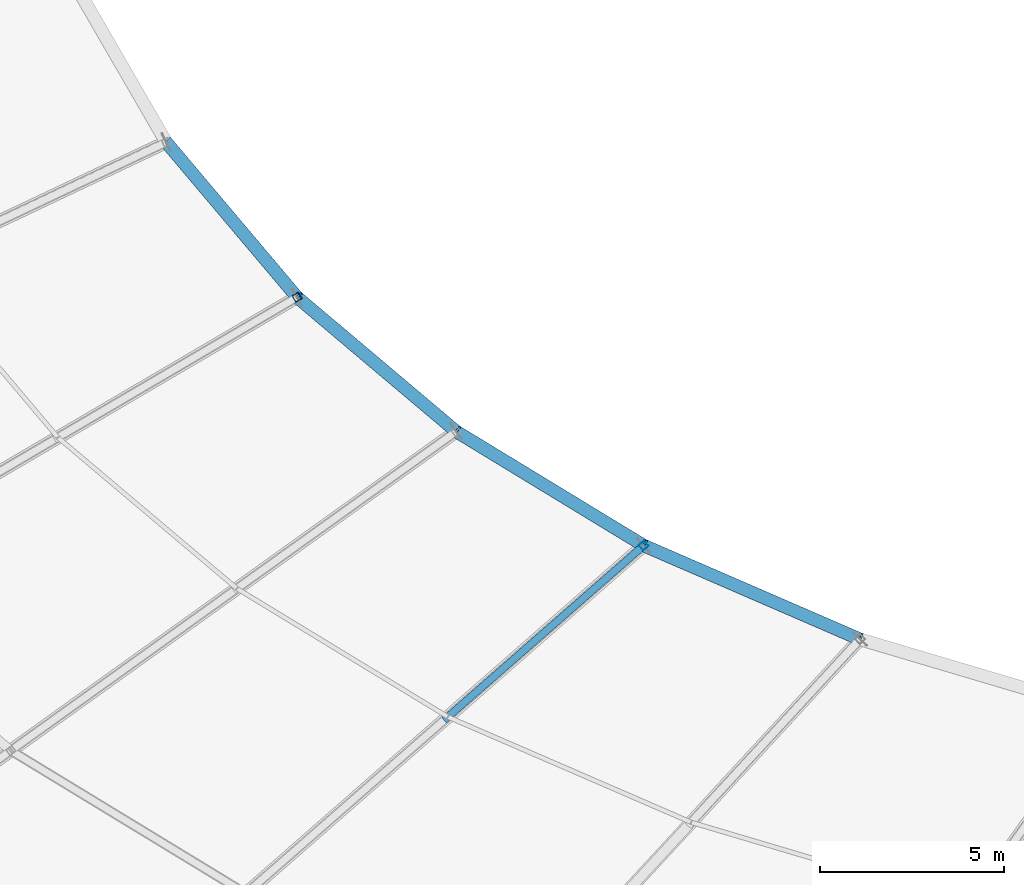
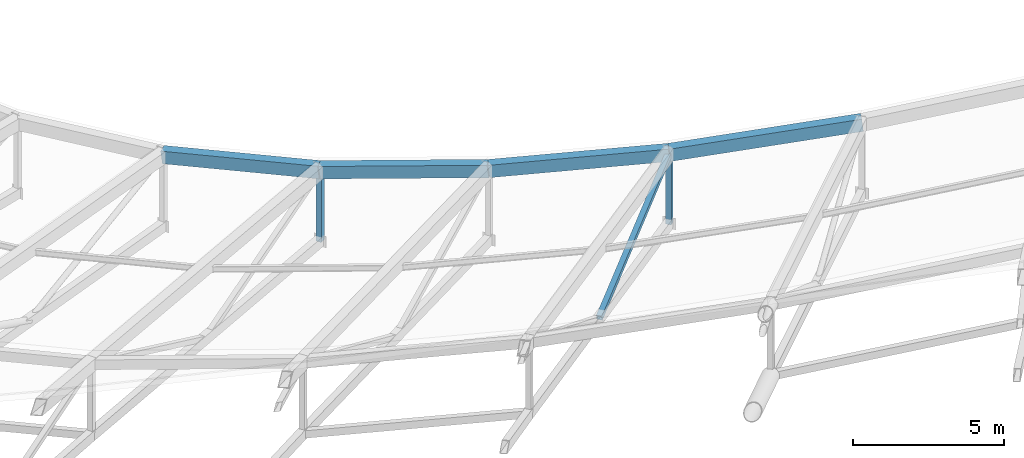
# One storey, part 27 of 143: 4 beams, 3 members.
"""IFC4 building model written with IfcOpenShell, lengths in metres."""

from ifc_helpers import new_model, si_unit, direction, frame, origin, origin_2d, place, context, subcontext, project, spatial, hollow_rectangle, extrude, material, material_profile, profile_set, type_object, element, save


model = new_model("IFC4")

# Units and contexts
model_context = context("Model", 3, precision=1e-05, world=origin(), true_north=direction((0.0, 1.0)))
body_context = subcontext(model_context, "Body", "Model", "MODEL_VIEW")
ifc_project = project(units=[si_unit("LENGTHUNIT", "METRE"), si_unit("AREAUNIT", "SQUARE_METRE"), si_unit("VOLUMEUNIT", "CUBIC_METRE"), si_unit("PLANEANGLEUNIT", "RADIAN"), si_unit("MASSUNIT", "GRAM", prefix="KILO")], contexts=[model_context])

# Site, building, storey
site_placement = place(None, origin())
site = spatial("IfcSite", under=ifc_project, at=site_placement, CompositionType="ELEMENT")
building_placement = place(site_placement, origin())
building = spatial("IfcBuilding", under=site, at=building_placement, Name="Mphavela Belvedere Stadium", CompositionType="ELEMENT")
storey_placement = place(building_placement, frame((0.0, 0.0, 28.800048828125)))
storey = spatial("IfcBuildingStorey", under=building, at=storey_placement, Name="RF", CompositionType="ELEMENT", Elevation=28.800048828125)

# Beams
ifc_material_1 = material(Name="Steel S355", Category="steel")
ifc_material_profile_1 = material_profile(ifc_material_1, hollow_rectangle(XDim=0.35009765625, YDim=0.5, WallThickness=0.02001953125, at=origin_2d()), Name="RHS 500x350x20")
ifc_profile_set_1 = profile_set([ifc_material_profile_1], Name="Steel S355")
beam_type = type_object("IfcBeamType", Name="BM-RING-IN", PredefinedType="BEAM", material=ifc_profile_set_1)
beam_1_placement = place(storey_placement, frame((59.306396484375, 60.638427734375, 2.947998046875), z_axis=(0.640050552269, -0.758013434001, 0.125502686881), x_axis=(0.764054600032, 0.645151585419, 0.0)))
element("IfcBeam", 1, at=beam_1_placement, inside=storey, type_object=beam_type, Name="Inner tension ring beam RB-IN-29", PredefinedType="BEAM", context=body_context, shape_type="SweptSolid", body=[
    extrude(hollow_rectangle(XDim=0.35009765625, YDim=0.5, WallThickness=0.02001953125, at=origin_2d()), origin(), (0.0, 0.0, 1.0), 5.5693359375),
])
beam_2_placement = place(storey_placement, frame((62.87109375, 56.416748046875, 3.64697265625), z_axis=(0.757688912206, -0.639326677835, 0.131030192428), x_axis=(0.644886646636, 0.764278230091, 0.0)))
element("IfcBeam", 2, at=beam_2_placement, inside=storey, type_object=beam_type, Name="Inner tension ring beam RB-IN-30", PredefinedType="BEAM", context=body_context, shape_type="SweptSolid", body=[
    extrude(hollow_rectangle(XDim=0.35009765625, YDim=0.5, WallThickness=0.02001953125, at=origin_2d()), origin(), (0.0, 0.0, 1.0), 5.723876953125),
])
beam_3_placement = place(storey_placement, frame((67.2080078125, 52.75732421875, 4.39697265625), z_axis=(0.847657355277, -0.515725756117, 0.124514868679), x_axis=(0.519770746181, 0.85430578332, 0.0)))
element("IfcBeam", 3, at=beam_3_placement, inside=storey, type_object=beam_type, Name="Inner tension ring beam RB-IN-31", PredefinedType="BEAM", context=body_context, shape_type="SweptSolid", body=[
    extrude(hollow_rectangle(XDim=0.35009765625, YDim=0.5, WallThickness=0.02001953125, at=origin_2d()), origin(), (0.0, 0.0, 1.0), 6.025390625),
])
beam_4_placement = place(storey_placement, frame((72.3154296875, 49.64990234375, 5.147216796875), z_axis=(0.912114200375, -0.39539814222, 0.108203487017), x_axis=(0.397733327252, 0.917501062884, 0.0)))
element("IfcBeam", 4, at=beam_4_placement, inside=storey, type_object=beam_type, Name="Inner tension ring beam RB-IN-32", PredefinedType="BEAM", context=body_context, shape_type="SweptSolid", body=[
    extrude(hollow_rectangle(XDim=0.35009765625, YDim=0.5, WallThickness=0.02001953125, at=origin_2d()), origin(), (0.0, 0.0, 1.0), 6.459716796875),
])

# Members
ifc_material_2 = material(Name="Steel S355", Category="steel")
ifc_material_profile_2 = material_profile(ifc_material_2, hollow_rectangle(XDim=0.199951171875, YDim=0.199951171875, WallThickness=0.010009765625, at=origin_2d()), Name="SHS 200x200x10")
ifc_profile_set_2 = profile_set([ifc_material_profile_2], Name="Steel S355")
member_type = type_object("IfcMemberType", Name="MEM-POST-SHS200", PredefinedType="POST", material=ifc_profile_set_2)
for number, where, z_axis, x_axis, name in (
    (5, (62.87109375, 56.416748046875, 0.796875), (0.0, 0.0, 1.0), (-0.862513669207, -0.506033764121, 0.0), "Radial roof truss RT-30 post P4"),
    (6, (72.3154296875, 49.64990234375, 2.297119140625), (0.0, 0.0, 1.0), (-0.752529860433, -0.658558128912, 0.0), "Radial roof truss RT-32 post P4"),
):
    element("IfcMember", number, at=place(storey_placement, frame(where, z_axis=z_axis, x_axis=x_axis)), inside=storey, type_object=member_type, Name=name, PredefinedType="POST", context=body_context, shape_type="SweptSolid", body=[
        extrude(hollow_rectangle(XDim=0.199951171875, YDim=0.199951171875, WallThickness=0.010009765625, at=origin_2d()), origin(), (0.0, 0.0, 1.0), 2.85009765625),
    ])
member_placement = place(storey_placement, frame((66.896484375, 44.908203125, 3.23095703125), z_axis=(0.7272557763, 0.636365186849, 0.257173841601), x_axis=(-0.658514209396, 0.752568293263, 0.0)))
element("IfcMember", 7, at=member_placement, inside=storey, type_object=member_type, Name="Radial roof truss RT-32 web diagonal D6", PredefinedType="POST", context=body_context, shape_type="SweptSolid", body=[
    extrude(hollow_rectangle(XDim=0.199951171875, YDim=0.199951171875, WallThickness=0.010009765625, at=origin_2d()), origin(), (0.0, 0.0, 1.0), 7.451171875),
])

save(model, "model.ifc")
